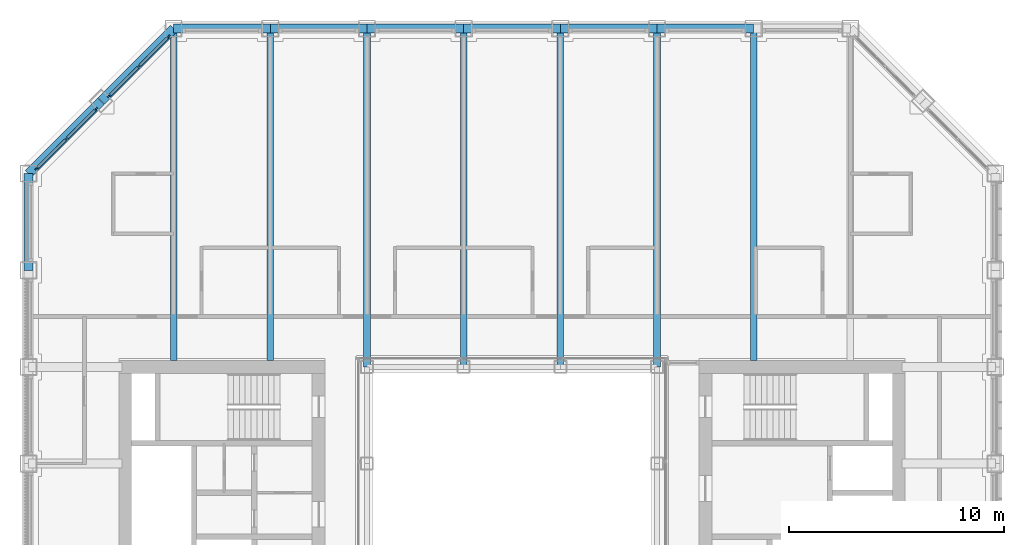
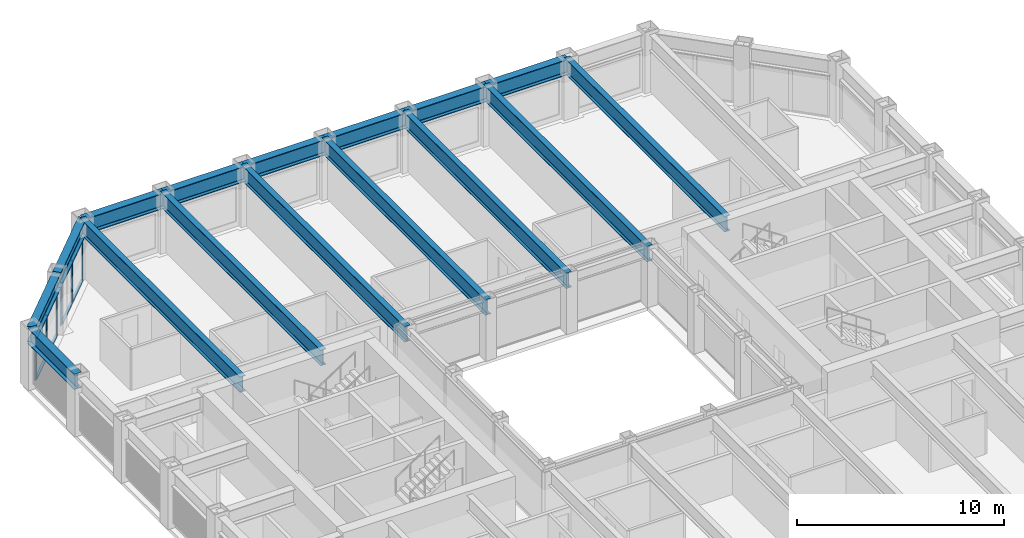
# One storey, part 7 of 17: 16 beams, 14 members, 2 elements without a shape of their own.
"""IFC4 building model written with IfcOpenShell, lengths in metres."""

from ifc_helpers import new_model, si_unit, direction, frame, origin, origin_2d, place, context, subcontext, project, spatial, rectangle, i_section, extrude, material, material_profile, profile_set, type_object, element, aggregate, save


model = new_model("IFC4")

# Units and contexts
model_context = context("Model", 3, precision=1e-05, world=origin(), true_north=direction((0.0, 1.0)))
body_context = subcontext(model_context, "Body", "Model", "MODEL_VIEW")
ifc_project = project(units=[si_unit("LENGTHUNIT", "METRE"), si_unit("AREAUNIT", "SQUARE_METRE"), si_unit("VOLUMEUNIT", "CUBIC_METRE"), si_unit("PLANEANGLEUNIT", "RADIAN"), si_unit("MASSUNIT", "GRAM", prefix="KILO")], contexts=[model_context])

# Site, building, storey
site_placement = place(None, origin())
site = spatial("IfcSite", under=ifc_project, at=site_placement, CompositionType="ELEMENT")
building_placement = place(site_placement, origin())
building = spatial("IfcBuilding", under=site, at=building_placement, Name="Msasa Ring Tower", CompositionType="ELEMENT")
storey_placement = place(building_placement, frame((0.0, 0.0, 140.0)))
storey = spatial("IfcBuildingStorey", under=building, at=storey_placement, Name="L36", CompositionType="ELEMENT", Elevation=140.0)

# Curtain wall, members
ifc_material_1 = material(Name="Aluminium curtain wall with clear glass", Category="aluminium")
curtain_wall_type = type_object("IfcCurtainWallType", Name="CW-C CHAMFER CORNER CURTAIN WALL", PredefinedType="NOTDEFINED", material=ifc_material_1)
curtain_wall_1_placement = place(storey_placement, origin())
curtain_wall_1 = element("IfcCurtainWall", 1, at=curtain_wall_1_placement, inside=storey, type_object=curtain_wall_type, Name="Chamfer corner curtain wall NW L36", PredefinedType="NOTDEFINED")
ifc_material_2 = material(Name="Aluminium mullion", Category="aluminium")
ifc_material_profile_1 = material_profile(ifc_material_2, rectangle(XDim=0.06494140625, YDim=0.179931640625, at=origin_2d()), Name="AL 65x180")
ifc_profile_set_1 = profile_set([ifc_material_profile_1], Name="Aluminium mullion")
member_type_1 = type_object("IfcMemberType", Name="CW-C MULLION 65x180", PredefinedType="MULLION", material=ifc_profile_set_1)
member_1_placement = place(storey_placement, frame((-19.36376953125, 18.744873046875, 0.0), z_axis=(0.0, 0.0, 1.0), x_axis=(0.707106781187, -0.707106781187, 0.0)))
member_1 = element("IfcMember", 2, at=member_1_placement, type_object=member_type_1, Name="CW-C mullion 1", PredefinedType="MULLION", context=body_context, shape_type="SweptSolid", body=[
    extrude(rectangle(XDim=0.06494140625, YDim=0.179931640625, at=origin_2d()), origin(), (0.0, 0.0, 1.0), 2.47900390625),
])
member_2_placement = place(storey_placement, frame((-20.74169921875, 17.36669921875, 0.0), z_axis=(0.0, 0.0, 1.0), x_axis=(0.707106781187, -0.707106781187, 0.0)))
member_2 = element("IfcMember", 3, at=member_2_placement, type_object=member_type_1, Name="CW-C mullion 2", PredefinedType="MULLION", context=body_context, shape_type="SweptSolid", body=[
    extrude(rectangle(XDim=0.06494140625, YDim=0.179931640625, at=origin_2d()), origin(), (0.0, 0.0, 1.0), 2.47900390625),
])
member_3_placement = place(storey_placement, frame((-22.119873046875, 15.98876953125, 0.0), z_axis=(0.0, 0.0, 1.0), x_axis=(0.707106781187, -0.707106781187, 0.0)))
member_3 = element("IfcMember", 4, at=member_3_placement, type_object=member_type_1, Name="CW-C mullion 3", PredefinedType="MULLION", context=body_context, shape_type="SweptSolid", body=[
    extrude(rectangle(XDim=0.06494140625, YDim=0.179931640625, at=origin_2d()), origin(), (0.0, 0.0, 1.0), 2.47900390625),
])

curtain_wall_2_placement = place(storey_placement, origin())
curtain_wall_2 = element("IfcCurtainWall", 5, at=curtain_wall_2_placement, inside=storey, type_object=curtain_wall_type, Name="Chamfer corner curtain wall NW L36", PredefinedType="NOTDEFINED")
member_4_placement = place(storey_placement, frame((-15.98876953125, 22.119873046875, 0.0), z_axis=(0.0, 0.0, 1.0), x_axis=(0.707106781187, -0.707106781187, 0.0)))
member_4 = element("IfcMember", 6, at=member_4_placement, type_object=member_type_1, Name="CW-C mullion 1", PredefinedType="MULLION", context=body_context, shape_type="SweptSolid", body=[
    extrude(rectangle(XDim=0.06494140625, YDim=0.179931640625, at=origin_2d()), origin(), (0.0, 0.0, 1.0), 2.47900390625),
])
member_5_placement = place(storey_placement, frame((-17.36669921875, 20.74169921875, 0.0), z_axis=(0.0, 0.0, 1.0), x_axis=(0.707106781187, -0.707106781187, 0.0)))
member_5 = element("IfcMember", 7, at=member_5_placement, type_object=member_type_1, Name="CW-C mullion 2", PredefinedType="MULLION", context=body_context, shape_type="SweptSolid", body=[
    extrude(rectangle(XDim=0.06494140625, YDim=0.179931640625, at=origin_2d()), origin(), (0.0, 0.0, 1.0), 2.47900390625),
])
member_6_placement = place(storey_placement, frame((-18.744873046875, 19.36376953125, 0.0), z_axis=(0.0, 0.0, 1.0), x_axis=(0.707106781187, -0.707106781187, 0.0)))
member_6 = element("IfcMember", 8, at=member_6_placement, type_object=member_type_1, Name="CW-C mullion 3", PredefinedType="MULLION", context=body_context, shape_type="SweptSolid", body=[
    extrude(rectangle(XDim=0.06494140625, YDim=0.179931640625, at=origin_2d()), origin(), (0.0, 0.0, 1.0), 2.47900390625),
])

# Member
ifc_material_3 = material(Name="Aluminium transom", Category="aluminium")
ifc_material_profile_2 = material_profile(ifc_material_3, rectangle(XDim=0.139892578125, YDim=0.06494140625, at=origin_2d()), Name="AL 65x140")
ifc_profile_set_2 = profile_set([ifc_material_profile_2], Name="Aluminium transom")
member_type_2 = type_object("IfcMemberType", Name="CW-C TRANSOM 65x140", PredefinedType="USERDEFINED", material=ifc_profile_set_2)
member_7_placement = place(storey_placement, frame((-19.38671875, 18.721923828125, 0.032470703125), z_axis=(-0.707106781187, -0.707106781187, 0.0), x_axis=(0.707106781187, -0.707106781187, 0.0)))
member_7 = element("IfcMember", 9, at=member_7_placement, type_object=member_type_2, Name="CW-C transom 1.1", ObjectType="TRANSOM", PredefinedType="USERDEFINED", context=body_context, shape_type="SweptSolid", body=[
    extrude(rectangle(XDim=0.139892578125, YDim=0.06494140625, at=origin_2d()), origin(), (0.0, 0.0, 1.0), 1.8837890625),
])

member_8_placement = place(storey_placement, frame((-19.38671875, 18.721923828125, 2.446533203125), z_axis=(-0.707106781187, -0.707106781187, 0.0), x_axis=(0.707106781187, -0.707106781187, 0.0)))
member_8 = element("IfcMember", 10, at=member_8_placement, type_object=member_type_2, Name="CW-C transom 1.2", ObjectType="TRANSOM", PredefinedType="USERDEFINED", context=body_context, shape_type="SweptSolid", body=[
    extrude(rectangle(XDim=0.139892578125, YDim=0.06494140625, at=origin_2d()), origin(), (0.0, 0.0, 1.0), 1.8837890625),
])

member_9_placement = place(storey_placement, frame((-20.764892578125, 17.34375, 0.032470703125), z_axis=(-0.707106781187, -0.707106781187, 0.0), x_axis=(0.707106781187, -0.707106781187, 0.0)))
member_9 = element("IfcMember", 11, at=member_9_placement, type_object=member_type_2, Name="CW-C transom 2.1", ObjectType="TRANSOM", PredefinedType="USERDEFINED", context=body_context, shape_type="SweptSolid", body=[
    extrude(rectangle(XDim=0.139892578125, YDim=0.06494140625, at=origin_2d()), origin(), (0.0, 0.0, 1.0), 1.8837890625),
])

member_10_placement = place(storey_placement, frame((-20.764892578125, 17.34375, 2.446533203125), z_axis=(-0.707106781187, -0.707106781187, 0.0), x_axis=(0.707106781187, -0.707106781187, 0.0)))
member_10 = element("IfcMember", 12, at=member_10_placement, type_object=member_type_2, Name="CW-C transom 2.2", ObjectType="TRANSOM", PredefinedType="USERDEFINED", context=body_context, shape_type="SweptSolid", body=[
    extrude(rectangle(XDim=0.139892578125, YDim=0.06494140625, at=origin_2d()), origin(), (0.0, 0.0, 1.0), 1.8837890625),
])

aggregate(curtain_wall_1, [member_1, member_2, member_3, member_7, member_8, member_9, member_10])

member_11_placement = place(storey_placement, frame((-16.01171875, 22.096923828125, 0.032470703125), z_axis=(-0.707106781187, -0.707106781187, 0.0), x_axis=(0.707106781187, -0.707106781187, 0.0)))
member_11 = element("IfcMember", 13, at=member_11_placement, type_object=member_type_2, Name="CW-C transom 1.1", ObjectType="TRANSOM", PredefinedType="USERDEFINED", context=body_context, shape_type="SweptSolid", body=[
    extrude(rectangle(XDim=0.139892578125, YDim=0.06494140625, at=origin_2d()), origin(), (0.0, 0.0, 1.0), 1.8837890625),
])

member_12_placement = place(storey_placement, frame((-16.01171875, 22.096923828125, 2.446533203125), z_axis=(-0.707106781187, -0.707106781187, 0.0), x_axis=(0.707106781187, -0.707106781187, 0.0)))
member_12 = element("IfcMember", 14, at=member_12_placement, type_object=member_type_2, Name="CW-C transom 1.2", ObjectType="TRANSOM", PredefinedType="USERDEFINED", context=body_context, shape_type="SweptSolid", body=[
    extrude(rectangle(XDim=0.139892578125, YDim=0.06494140625, at=origin_2d()), origin(), (0.0, 0.0, 1.0), 1.8837890625),
])

member_13_placement = place(storey_placement, frame((-17.389892578125, 20.71875, 0.032470703125), z_axis=(-0.707106781187, -0.707106781187, 0.0), x_axis=(0.707106781187, -0.707106781187, 0.0)))
member_13 = element("IfcMember", 15, at=member_13_placement, type_object=member_type_2, Name="CW-C transom 2.1", ObjectType="TRANSOM", PredefinedType="USERDEFINED", context=body_context, shape_type="SweptSolid", body=[
    extrude(rectangle(XDim=0.139892578125, YDim=0.06494140625, at=origin_2d()), origin(), (0.0, 0.0, 1.0), 1.8837890625),
])

member_14_placement = place(storey_placement, frame((-17.389892578125, 20.71875, 2.446533203125), z_axis=(-0.707106781187, -0.707106781187, 0.0), x_axis=(0.707106781187, -0.707106781187, 0.0)))
member_14 = element("IfcMember", 16, at=member_14_placement, type_object=member_type_2, Name="CW-C transom 2.2", ObjectType="TRANSOM", PredefinedType="USERDEFINED", context=body_context, shape_type="SweptSolid", body=[
    extrude(rectangle(XDim=0.139892578125, YDim=0.06494140625, at=origin_2d()), origin(), (0.0, 0.0, 1.0), 1.8837890625),
])

aggregate(curtain_wall_2, [member_4, member_5, member_6, member_11, member_12, member_13, member_14])

# Beams
ifc_material_4 = material(Name="Steel S355", Category="steel")
ifc_material_profile_3 = material_profile(ifc_material_4, i_section(OverallWidth=0.3076171875, OverallDepth=0.926513671875, WebThickness=0.01953125, FlangeThickness=0.031982421875, FilletRadius=0.01904296875, at=origin_2d()), Name="UB 914x305x289")
ifc_profile_set_3 = profile_set([ifc_material_profile_3], Name="Steel S355")
beam_type_1 = type_object("IfcBeamType", Name="FB3 UB 914x305x289", PredefinedType="BEAM", material=ifc_profile_set_3)
for number, where, z_axis, x_axis, name in (
    (17, (-15.75, 22.5, 2.936767578125), (0.0, -1.0, 0.0), (1.0, 0.0, 0.0), "Floor beam N-15.75 under L37"),
    (18, (-11.25, 22.5, 2.936767578125), (0.0, -1.0, 0.0), (1.0, 0.0, 0.0), "Floor beam N-11.25 under L37"),
):
    element("IfcBeam", number, at=place(storey_placement, frame(where, z_axis=z_axis, x_axis=x_axis)), inside=storey, type_object=beam_type_1, Name=name, PredefinedType="BEAM", context=body_context, shape_type="SweptSolid", body=[
        extrude(i_section(OverallWidth=0.3076171875, OverallDepth=0.926513671875, WebThickness=0.01953125, FlangeThickness=0.031982421875, FilletRadius=0.01904296875, at=origin_2d()), origin(), (0.0, 0.0, 1.0), 15.449951171875),
    ])
for number, where, z_axis, x_axis, name in (
    (19, (-6.75, 22.5, 2.936767578125), (0.0, -1.0, 0.0), (1.0, 0.0, 0.0), "Floor beam N-6.75 under L37"),
    (20, (-2.25, 22.5, 2.936767578125), (0.0, -1.0, 0.0), (1.0, 0.0, 0.0), "Floor beam N-2.25 under L37"),
    (21, (2.25, 22.5, 2.936767578125), (0.0, -1.0, 0.0), (1.0, 0.0, 0.0), "Floor beam N+2.25 under L37"),
    (22, (6.75, 22.5, 2.936767578125), (0.0, -1.0, 0.0), (1.0, 0.0, 0.0), "Floor beam N+6.75 under L37"),
):
    element("IfcBeam", number, at=place(storey_placement, frame(where, z_axis=z_axis, x_axis=x_axis)), inside=storey, type_object=beam_type_1, Name=name, PredefinedType="BEAM", context=body_context, shape_type="SweptSolid", body=[
        extrude(i_section(OverallWidth=0.3076171875, OverallDepth=0.926513671875, WebThickness=0.01953125, FlangeThickness=0.031982421875, FilletRadius=0.01904296875, at=origin_2d()), origin(), (0.0, 0.0, 1.0), 15.75),
    ])
beam_1_placement = place(storey_placement, frame((11.25, 22.5, 2.936767578125), z_axis=(0.0, -1.0, 0.0), x_axis=(1.0, 0.0, 0.0)))
element("IfcBeam", 23, at=beam_1_placement, inside=storey, type_object=beam_type_1, Name="Floor beam N+11.25 under L37", PredefinedType="BEAM", context=body_context, shape_type="SweptSolid", body=[
    extrude(i_section(OverallWidth=0.3076171875, OverallDepth=0.926513671875, WebThickness=0.01953125, FlangeThickness=0.031982421875, FilletRadius=0.01904296875, at=origin_2d()), origin(), (0.0, 0.0, 1.0), 15.449951171875),
])
ifc_material_5 = material(Name="Steel S355", Category="steel")
ifc_material_profile_4 = material_profile(ifc_material_5, i_section(OverallWidth=0.42041015625, OverallDepth=0.9208984375, WebThickness=0.021484375, FlangeThickness=0.03662109375, FilletRadius=0.024169921875, at=origin_2d()), Name="UB 914x419x388")
ifc_profile_set_4 = profile_set([ifc_material_profile_4], Name="Steel S355")
beam_type_2 = type_object("IfcBeamType", Name="SB1 UB 914x419x388", PredefinedType="SPANDREL", material=ifc_profile_set_4)
for number, where, z_axis, x_axis, name in (
    (24, (11.25, 22.5, 2.939453125), (-1.0, 0.0, 0.0), (0.0, -1.0, 0.0), "Spandrel N+11.25 to N+6.75 under L37"),
    (25, (6.75, 22.5, 2.939453125), (-1.0, 0.0, 0.0), (0.0, -1.0, 0.0), "Spandrel N+6.75 to N+2.25 under L37"),
    (26, (2.25, 22.5, 2.939453125), (-1.0, 0.0, 0.0), (0.0, -1.0, 0.0), "Spandrel N+2.25 to N-2.25 under L37"),
    (27, (-2.25, 22.5, 2.939453125), (-1.0, 0.0, 0.0), (0.0, -1.0, 0.0), "Spandrel N-2.25 to N-6.75 under L37"),
    (28, (-6.75, 22.5, 2.939453125), (-1.0, 0.0, 0.0), (0.0, -1.0, 0.0), "Spandrel N-6.75 to N-11.25 under L37"),
    (29, (-11.25, 22.5, 2.939453125), (-1.0, 0.0, 0.0), (0.0, -1.0, 0.0), "Spandrel N-11.25 to N-15.75 under L37"),
):
    element("IfcBeam", number, at=place(storey_placement, frame(where, z_axis=z_axis, x_axis=x_axis)), inside=storey, type_object=beam_type_2, Name=name, PredefinedType="SPANDREL", context=body_context, shape_type="SweptSolid", body=[
        extrude(i_section(OverallWidth=0.42041015625, OverallDepth=0.9208984375, WebThickness=0.021484375, FlangeThickness=0.03662109375, FilletRadius=0.024169921875, at=origin_2d()), origin(), (0.0, 0.0, 1.0), 4.5),
    ])
for number, where, z_axis, x_axis, name in (
    (30, (-15.75, 22.5, 2.939453125), (-0.707106781187, -0.707106781187, 0.0), (0.707106781187, -0.707106781187, 0.0), "Spandrel N-15.75 to NW under L37"),
    (31, (-19.125, 19.125, 2.939453125), (-0.707106781187, -0.707106781187, 0.0), (0.707106781187, -0.707106781187, 0.0), "Spandrel NW to W+15.75 under L37"),
):
    element("IfcBeam", number, at=place(storey_placement, frame(where, z_axis=z_axis, x_axis=x_axis)), inside=storey, type_object=beam_type_2, Name=name, PredefinedType="SPANDREL", context=body_context, shape_type="SweptSolid", body=[
        extrude(i_section(OverallWidth=0.42041015625, OverallDepth=0.9208984375, WebThickness=0.021484375, FlangeThickness=0.03662109375, FilletRadius=0.024169921875, at=origin_2d()), origin(), (0.0, 0.0, 1.0), 4.77294921875),
    ])
beam_2_placement = place(storey_placement, frame((-22.5, 15.75, 2.939453125), z_axis=(0.0, -1.0, 0.0), x_axis=(1.0, 0.0, 0.0)))
element("IfcBeam", 32, at=beam_2_placement, inside=storey, type_object=beam_type_2, Name="Spandrel W+15.75 to W+11.25 under L37", PredefinedType="SPANDREL", context=body_context, shape_type="SweptSolid", body=[
    extrude(i_section(OverallWidth=0.42041015625, OverallDepth=0.9208984375, WebThickness=0.021484375, FlangeThickness=0.03662109375, FilletRadius=0.024169921875, at=origin_2d()), origin(), (0.0, 0.0, 1.0), 4.5),
])

save(model, "model.ifc")
